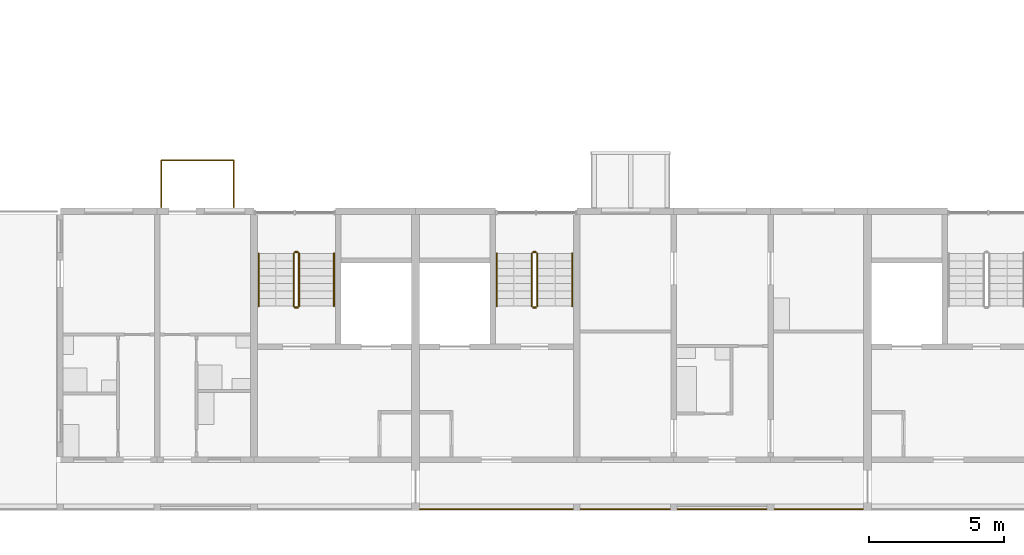
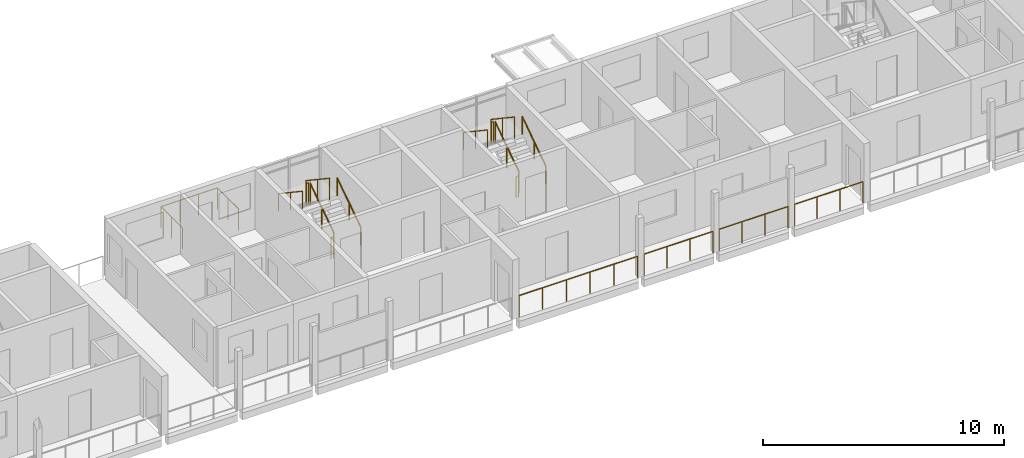
# One storey, part 59 of 64: 17 railings.
"""IFC4 building model written with IfcOpenShell, lengths in metres."""

from ifc_helpers import new_model, si_unit, direction, frame, origin, origin_2d, place, context, subcontext, project, spatial, circle, extrude, material, type_object, element, save


model = new_model("IFC4")

# Units and contexts
model_context = context("Model", 3, precision=1e-05, world=origin(), true_north=direction((0.0, 1.0)))
body_context = subcontext(model_context, "Body", "Model", "MODEL_VIEW")
ifc_project = project(units=[si_unit("LENGTHUNIT", "METRE"), si_unit("AREAUNIT", "SQUARE_METRE"), si_unit("VOLUMEUNIT", "CUBIC_METRE"), si_unit("PLANEANGLEUNIT", "RADIAN"), si_unit("MASSUNIT", "GRAM", prefix="KILO")], contexts=[model_context])

# Site, building, storey
site_placement = place(None, origin())
site = spatial("IfcSite", under=ifc_project, at=site_placement, CompositionType="ELEMENT")
building_placement = place(site_placement, origin())
building = spatial("IfcBuilding", under=site, at=building_placement, Name="Ridgestep Commons", CompositionType="ELEMENT")
storey_placement = place(building_placement, frame((0.0, 0.0, 33.0)))
storey = spatial("IfcBuildingStorey", under=building, at=storey_placement, Name="L11", CompositionType="ELEMENT", Elevation=33.0)

# Railings
ifc_material_1 = material(Name="Structural steel S355JR", Category="steel")
railing_type_1 = type_object("IfcRailingType", Name="Guard 1100", PredefinedType="GUARDRAIL", material=ifc_material_1)
railing_1_placement = place(storey_placement, frame((214.1708984375, 11.800048828125, 0.0)))
element("IfcRailing", 1, at=railing_1_placement, inside=storey, type_object=railing_type_1, Name="Gallery guard D 11.15", PredefinedType="GUARDRAIL", context=body_context, shape_type="SweptSolid", body=[
    extrude(circle(Radius=0.02392578125, at=origin_2d()), frame((0.0, 0.0, 1.076171875), z_axis=(1.0, 0.0, 0.0), x_axis=(0.0, 1.0, 0.0)), (0.0, 0.0, 1.0), 5.68310546875),
    extrude(circle(Radius=0.02099609375, at=origin_2d()), origin(), (0.0, 0.0, 1.0), 1.052001953125),
    extrude(circle(Radius=0.02099609375, at=origin_2d()), frame((1.13671875, 0.0, 0.0)), (0.0, 0.0, 1.0), 1.052001953125),
    extrude(circle(Radius=0.02099609375, at=origin_2d()), frame((2.273193359375, 0.0, 0.0)), (0.0, 0.0, 1.0), 1.052001953125),
    extrude(circle(Radius=0.02099609375, at=origin_2d()), frame((3.409912109375, 0.0, 0.0)), (0.0, 0.0, 1.0), 1.052001953125),
    extrude(circle(Radius=0.02099609375, at=origin_2d()), frame((4.54638671875, 0.0, 0.0)), (0.0, 0.0, 1.0), 1.052001953125),
    extrude(circle(Radius=0.02099609375, at=origin_2d()), frame((5.68310546875, 0.0, 0.0)), (0.0, 0.0, 1.0), 1.052001953125),
])
railing_2_placement = place(storey_placement, frame((220.14599609375, 11.800048828125, 0.0)))
element("IfcRailing", 2, at=railing_2_placement, inside=storey, type_object=railing_type_1, Name="Gallery guard D 11.16", PredefinedType="GUARDRAIL", context=body_context, shape_type="SweptSolid", body=[
    extrude(circle(Radius=0.02392578125, at=origin_2d()), frame((0.0, 0.0, 1.076171875), z_axis=(1.0, 0.0, 0.0), x_axis=(0.0, 1.0, 0.0)), (0.0, 0.0, 1.0), 3.30810546875),
    extrude(circle(Radius=0.02099609375, at=origin_2d()), origin(), (0.0, 0.0, 1.0), 1.052001953125),
    extrude(circle(Radius=0.02099609375, at=origin_2d()), frame((1.102783203125, 0.0, 0.0)), (0.0, 0.0, 1.0), 1.052001953125),
    extrude(circle(Radius=0.02099609375, at=origin_2d()), frame((2.205322265625, 0.0, 0.0)), (0.0, 0.0, 1.0), 1.052001953125),
    extrude(circle(Radius=0.02099609375, at=origin_2d()), frame((3.30810546875, 0.0, 0.0)), (0.0, 0.0, 1.0), 1.052001953125),
])
railing_3_placement = place(storey_placement, frame((223.74609375, 11.800048828125, 0.0)))
element("IfcRailing", 3, at=railing_3_placement, inside=storey, type_object=railing_type_1, Name="Gallery guard D 11.17", PredefinedType="GUARDRAIL", context=body_context, shape_type="SweptSolid", body=[
    extrude(circle(Radius=0.02392578125, at=origin_2d()), frame((0.0, 0.0, 1.076171875), z_axis=(1.0, 0.0, 0.0), x_axis=(0.0, 1.0, 0.0)), (0.0, 0.0, 1.0), 3.307861328125),
    extrude(circle(Radius=0.02099609375, at=origin_2d()), origin(), (0.0, 0.0, 1.0), 1.052001953125),
    extrude(circle(Radius=0.02099609375, at=origin_2d()), frame((1.1025390625, 0.0, 0.0)), (0.0, 0.0, 1.0), 1.052001953125),
    extrude(circle(Radius=0.02099609375, at=origin_2d()), frame((2.205322265625, 0.0, 0.0)), (0.0, 0.0, 1.0), 1.052001953125),
    extrude(circle(Radius=0.02099609375, at=origin_2d()), frame((3.307861328125, 0.0, 0.0)), (0.0, 0.0, 1.0), 1.052001953125),
])
railing_4_placement = place(storey_placement, frame((227.345947265625, 11.800048828125, 0.0)))
element("IfcRailing", 4, at=railing_4_placement, inside=storey, type_object=railing_type_1, Name="Gallery guard D 11.18", PredefinedType="GUARDRAIL", context=body_context, shape_type="SweptSolid", body=[
    extrude(circle(Radius=0.02392578125, at=origin_2d()), frame((0.0, 0.0, 1.076171875), z_axis=(1.0, 0.0, 0.0), x_axis=(0.0, 1.0, 0.0)), (0.0, 0.0, 1.0), 3.282958984375),
    extrude(circle(Radius=0.02099609375, at=origin_2d()), origin(), (0.0, 0.0, 1.0), 1.052001953125),
    extrude(circle(Radius=0.02099609375, at=origin_2d()), frame((1.09423828125, 0.0, 0.0)), (0.0, 0.0, 1.0), 1.052001953125),
    extrude(circle(Radius=0.02099609375, at=origin_2d()), frame((2.188720703125, 0.0, 0.0)), (0.0, 0.0, 1.0), 1.052001953125),
    extrude(circle(Radius=0.02099609375, at=origin_2d()), frame((3.282958984375, 0.0, 0.0)), (0.0, 0.0, 1.0), 1.052001953125),
])
ifc_material_2 = material(Name="Structural steel S355JR", Category="steel")
railing_type_2 = type_object("IfcRailingType", Name="Stair guard 1100", PredefinedType="GUARDRAIL", material=ifc_material_2)
railing_5_placement = place(storey_placement, frame((209.675048828125, 19.35009765625, 0.1875)))
element("IfcRailing", 5, at=railing_5_placement, inside=storey, type_object=railing_type_2, Name="L11 D4C stair guard 1", PredefinedType="GUARDRAIL", context=body_context, shape_type="SweptSolid", body=[
    extrude(circle(Radius=0.02392578125, at=origin_2d()), frame((0.0, 0.0, 1.076171875), z_axis=(0.0, 0.830902050051, 0.556418712142), x_axis=(-1.0, 0.0, 0.0)), (0.0, 0.0, 1.0), 2.35888671875),
    extrude(circle(Radius=0.02099609375, at=origin_2d()), origin(), (0.0, 0.0, 1.0), 1.052001953125),
    extrude(circle(Radius=0.02099609375, at=origin_2d()), frame((0.0, 0.97998046875, 0.65625)), (0.0, 0.0, 1.0), 1.052001953125),
    extrude(circle(Radius=0.02099609375, at=origin_2d()), frame((0.0, 1.9599609375, 1.3125)), (0.0, 0.0, 1.0), 1.052001953125),
])
railing_6_placement = place(storey_placement, frame((209.625, 21.360107421875, 1.5)))
element("IfcRailing", 6, at=railing_6_placement, inside=storey, type_object=railing_type_2, Name="L11 D4C stair guard 2", PredefinedType="GUARDRAIL", context=body_context, shape_type="SweptSolid", body=[
    extrude(circle(Radius=0.02392578125, at=origin_2d()), frame((0.0, 0.0, 1.076171875), z_axis=(-1.0, 0.0, 0.0), x_axis=(0.0, -1.0, 0.0)), (0.0, 0.0, 1.0), 0.10009765625),
    extrude(circle(Radius=0.02099609375, at=origin_2d()), origin(), (0.0, 0.0, 1.0), 1.052001953125),
    extrude(circle(Radius=0.02099609375, at=origin_2d()), frame((-0.10009765625, 0.0, 0.0)), (0.0, 0.0, 1.0), 1.052001953125),
])
railing_7_placement = place(storey_placement, frame((209.47509765625, 21.31005859375, 1.6875)))
element("IfcRailing", 7, at=railing_7_placement, inside=storey, type_object=railing_type_2, Name="L11 D4C stair guard 3", PredefinedType="GUARDRAIL", context=body_context, shape_type="SweptSolid", body=[
    extrude(circle(Radius=0.02392578125, at=origin_2d()), frame((0.0, 0.0, 1.076171875), z_axis=(0.0, -0.830902050051, 0.556418712142), x_axis=(1.0, 0.0, 0.0)), (0.0, 0.0, 1.0), 2.35888671875),
    extrude(circle(Radius=0.02099609375, at=origin_2d()), origin(), (0.0, 0.0, 1.0), 1.052001953125),
    extrude(circle(Radius=0.02099609375, at=origin_2d()), frame((0.0, -0.97998046875, 0.65625)), (0.0, 0.0, 1.0), 1.052001953125),
    extrude(circle(Radius=0.02099609375, at=origin_2d()), frame((0.0, -1.9599609375, 1.3125)), (0.0, 0.0, 1.0), 1.052001953125),
])
railing_8_placement = place(storey_placement, frame((209.625, 19.300048828125, 0.0)))
element("IfcRailing", 8, at=railing_8_placement, inside=storey, type_object=railing_type_2, Name="L11 D4C stair guard 4", PredefinedType="GUARDRAIL", context=body_context, shape_type="SweptSolid", body=[
    extrude(circle(Radius=0.02392578125, at=origin_2d()), frame((0.0, 0.0, 1.076171875), z_axis=(-1.0, 0.0, 0.0), x_axis=(0.0, -1.0, 0.0)), (0.0, 0.0, 1.0), 0.10009765625),
    extrude(circle(Radius=0.02099609375, at=origin_2d()), origin(), (0.0, 0.0, 1.0), 1.052001953125),
    extrude(circle(Radius=0.02099609375, at=origin_2d()), frame((-0.10009765625, 0.0, 0.0)), (0.0, 0.0, 1.0), 1.052001953125),
])
railing_9_placement = place(storey_placement, frame((218.52490234375, 19.35009765625, 0.1875)))
element("IfcRailing", 9, at=railing_9_placement, inside=storey, type_object=railing_type_2, Name="L11 D5C stair guard 1", PredefinedType="GUARDRAIL", context=body_context, shape_type="SweptSolid", body=[
    extrude(circle(Radius=0.02392578125, at=origin_2d()), frame((0.0, 0.0, 1.076171875), z_axis=(0.0, 0.830902050051, 0.556418712142), x_axis=(-1.0, 0.0, 0.0)), (0.0, 0.0, 1.0), 2.35888671875),
    extrude(circle(Radius=0.02099609375, at=origin_2d()), origin(), (0.0, 0.0, 1.0), 1.052001953125),
    extrude(circle(Radius=0.02099609375, at=origin_2d()), frame((0.0, 0.97998046875, 0.65625)), (0.0, 0.0, 1.0), 1.052001953125),
    extrude(circle(Radius=0.02099609375, at=origin_2d()), frame((0.0, 1.9599609375, 1.3125)), (0.0, 0.0, 1.0), 1.052001953125),
])
railing_10_placement = place(storey_placement, frame((218.47509765625, 21.360107421875, 1.5)))
element("IfcRailing", 10, at=railing_10_placement, inside=storey, type_object=railing_type_2, Name="L11 D5C stair guard 2", PredefinedType="GUARDRAIL", context=body_context, shape_type="SweptSolid", body=[
    extrude(circle(Radius=0.02392578125, at=origin_2d()), frame((0.0, 0.0, 1.076171875), z_axis=(-1.0, 0.0, 0.0), x_axis=(0.0, -1.0, 0.0)), (0.0, 0.0, 1.0), 0.10009765625),
    extrude(circle(Radius=0.02099609375, at=origin_2d()), origin(), (0.0, 0.0, 1.0), 1.052001953125),
    extrude(circle(Radius=0.02099609375, at=origin_2d()), frame((-0.10009765625, 0.0, 0.0)), (0.0, 0.0, 1.0), 1.052001953125),
])
railing_11_placement = place(storey_placement, frame((218.324951171875, 21.31005859375, 1.6875)))
element("IfcRailing", 11, at=railing_11_placement, inside=storey, type_object=railing_type_2, Name="L11 D5C stair guard 3", PredefinedType="GUARDRAIL", context=body_context, shape_type="SweptSolid", body=[
    extrude(circle(Radius=0.02392578125, at=origin_2d()), frame((0.0, 0.0, 1.076171875), z_axis=(0.0, -0.830902050051, 0.556418712142), x_axis=(1.0, 0.0, 0.0)), (0.0, 0.0, 1.0), 2.35888671875),
    extrude(circle(Radius=0.02099609375, at=origin_2d()), origin(), (0.0, 0.0, 1.0), 1.052001953125),
    extrude(circle(Radius=0.02099609375, at=origin_2d()), frame((0.0, -0.97998046875, 0.65625)), (0.0, 0.0, 1.0), 1.052001953125),
    extrude(circle(Radius=0.02099609375, at=origin_2d()), frame((0.0, -1.9599609375, 1.3125)), (0.0, 0.0, 1.0), 1.052001953125),
])
railing_12_placement = place(storey_placement, frame((218.47509765625, 19.300048828125, 0.0)))
element("IfcRailing", 12, at=railing_12_placement, inside=storey, type_object=railing_type_2, Name="L11 D5C stair guard 4", PredefinedType="GUARDRAIL", context=body_context, shape_type="SweptSolid", body=[
    extrude(circle(Radius=0.02392578125, at=origin_2d()), frame((0.0, 0.0, 1.076171875), z_axis=(-1.0, 0.0, 0.0), x_axis=(0.0, -1.0, 0.0)), (0.0, 0.0, 1.0), 0.10009765625),
    extrude(circle(Radius=0.02099609375, at=origin_2d()), origin(), (0.0, 0.0, 1.0), 1.052001953125),
    extrude(circle(Radius=0.02099609375, at=origin_2d()), frame((-0.10009765625, 0.0, 0.0)), (0.0, 0.0, 1.0), 1.052001953125),
])
ifc_material_3 = material(Name="Structural steel S355JR", Category="steel")
railing_type_3 = type_object("IfcRailingType", Name="Stair handrail 900", PredefinedType="HANDRAIL", material=ifc_material_3)
railing_13_placement = place(storey_placement, frame((210.97509765625, 19.35009765625, 0.1875)))
element("IfcRailing", 13, at=railing_13_placement, inside=storey, type_object=railing_type_3, Name="L11 D4C stair handrail 1", PredefinedType="HANDRAIL", context=body_context, shape_type="SweptSolid", body=[
    extrude(circle(Radius=0.02392578125, at=origin_2d()), frame((0.0, 0.0, 0.8759765625), z_axis=(0.0, 0.830902050051, 0.556418712142), x_axis=(-1.0, 0.0, 0.0)), (0.0, 0.0, 1.0), 2.35888671875),
    extrude(circle(Radius=0.02099609375, at=origin_2d()), origin(), (0.0, 0.0, 1.0), 0.851806640625),
    extrude(circle(Radius=0.02099609375, at=origin_2d()), frame((0.0, 0.97998046875, 0.65625)), (0.0, 0.0, 1.0), 0.851806640625),
    extrude(circle(Radius=0.02099609375, at=origin_2d()), frame((0.0, 1.9599609375, 1.3125)), (0.0, 0.0, 1.0), 0.851806640625),
])
railing_14_placement = place(storey_placement, frame((208.175048828125, 21.31005859375, 1.6875)))
element("IfcRailing", 14, at=railing_14_placement, inside=storey, type_object=railing_type_3, Name="L11 D4C stair handrail 2", PredefinedType="HANDRAIL", context=body_context, shape_type="SweptSolid", body=[
    extrude(circle(Radius=0.02392578125, at=origin_2d()), frame((0.0, 0.0, 0.8759765625), z_axis=(0.0, -0.830902050051, 0.556418712142), x_axis=(1.0, 0.0, 0.0)), (0.0, 0.0, 1.0), 2.35888671875),
    extrude(circle(Radius=0.02099609375, at=origin_2d()), origin(), (0.0, 0.0, 1.0), 0.851806640625),
    extrude(circle(Radius=0.02099609375, at=origin_2d()), frame((0.0, -0.97998046875, 0.65625)), (0.0, 0.0, 1.0), 0.851806640625),
    extrude(circle(Radius=0.02099609375, at=origin_2d()), frame((0.0, -1.9599609375, 1.3125)), (0.0, 0.0, 1.0), 0.851806640625),
])
railing_15_placement = place(storey_placement, frame((219.824951171875, 19.35009765625, 0.1875)))
element("IfcRailing", 15, at=railing_15_placement, inside=storey, type_object=railing_type_3, Name="L11 D5C stair handrail 1", PredefinedType="HANDRAIL", context=body_context, shape_type="SweptSolid", body=[
    extrude(circle(Radius=0.02392578125, at=origin_2d()), frame((0.0, 0.0, 0.8759765625), z_axis=(0.0, 0.830902050051, 0.556418712142), x_axis=(-1.0, 0.0, 0.0)), (0.0, 0.0, 1.0), 2.35888671875),
    extrude(circle(Radius=0.02099609375, at=origin_2d()), origin(), (0.0, 0.0, 1.0), 0.851806640625),
    extrude(circle(Radius=0.02099609375, at=origin_2d()), frame((0.0, 0.97998046875, 0.65625)), (0.0, 0.0, 1.0), 0.851806640625),
    extrude(circle(Radius=0.02099609375, at=origin_2d()), frame((0.0, 1.9599609375, 1.3125)), (0.0, 0.0, 1.0), 0.851806640625),
])
railing_16_placement = place(storey_placement, frame((217.02490234375, 21.31005859375, 1.6875)))
element("IfcRailing", 16, at=railing_16_placement, inside=storey, type_object=railing_type_3, Name="L11 D5C stair handrail 2", PredefinedType="HANDRAIL", context=body_context, shape_type="SweptSolid", body=[
    extrude(circle(Radius=0.02392578125, at=origin_2d()), frame((0.0, 0.0, 0.8759765625), z_axis=(0.0, -0.830902050051, 0.556418712142), x_axis=(1.0, 0.0, 0.0)), (0.0, 0.0, 1.0), 2.35888671875),
    extrude(circle(Radius=0.02099609375, at=origin_2d()), origin(), (0.0, 0.0, 1.0), 0.851806640625),
    extrude(circle(Radius=0.02099609375, at=origin_2d()), frame((0.0, -0.97998046875, 0.65625)), (0.0, 0.0, 1.0), 0.851806640625),
    extrude(circle(Radius=0.02099609375, at=origin_2d()), frame((0.0, -1.9599609375, 1.3125)), (0.0, 0.0, 1.0), 0.851806640625),
])
ifc_material_4 = material(Name="Weathering steel S355J2W", Category="steel")
railing_type_4 = type_object("IfcRailingType", Name="Tray guard 1100", PredefinedType="GUARDRAIL", material=ifc_material_4)
railing_17_placement = place(storey_placement, frame((204.551025390625, 23.02099609375, 0.0)))
element("IfcRailing", 17, at=railing_17_placement, inside=storey, type_object=railing_type_4, Name="Tray guard D4T3-11", PredefinedType="GUARDRAIL", context=body_context, shape_type="SweptSolid", body=[
    extrude(circle(Radius=0.02392578125, at=origin_2d()), frame((0.0, 0.0, 1.076171875), z_axis=(0.0, 1.0, 0.0), x_axis=(-1.0, 0.0, 0.0)), (0.0, 0.0, 1.0), 1.758056640625),
    extrude(circle(Radius=0.02392578125, at=origin_2d()), frame((0.0, 1.758056640625, 1.076171875), z_axis=(1.0, 0.0, 0.0), x_axis=(0.0, 1.0, 0.0)), (0.0, 0.0, 1.0), 2.697998046875),
    extrude(circle(Radius=0.02392578125, at=origin_2d()), frame((2.697998046875, 1.758056640625, 1.076171875), z_axis=(0.0, -1.0, 0.0), x_axis=(1.0, 0.0, 0.0)), (0.0, 0.0, 1.0), 1.758056640625),
    extrude(circle(Radius=0.02099609375, at=origin_2d()), origin(), (0.0, 0.0, 1.0), 1.052001953125),
    extrude(circle(Radius=0.02099609375, at=origin_2d()), frame((0.0, 0.87890625, 0.0)), (0.0, 0.0, 1.0), 1.052001953125),
    extrude(circle(Radius=0.02099609375, at=origin_2d()), frame((0.0, 1.758056640625, 0.0)), (0.0, 0.0, 1.0), 1.052001953125),
    extrude(circle(Radius=0.02099609375, at=origin_2d()), frame((0.8994140625, 1.758056640625, 0.0)), (0.0, 0.0, 1.0), 1.052001953125),
    extrude(circle(Radius=0.02099609375, at=origin_2d()), frame((1.798583984375, 1.758056640625, 0.0)), (0.0, 0.0, 1.0), 1.052001953125),
    extrude(circle(Radius=0.02099609375, at=origin_2d()), frame((2.697998046875, 1.758056640625, 0.0)), (0.0, 0.0, 1.0), 1.052001953125),
    extrude(circle(Radius=0.02099609375, at=origin_2d()), frame((2.697998046875, 0.87890625, 0.0)), (0.0, 0.0, 1.0), 1.052001953125),
    extrude(circle(Radius=0.02099609375, at=origin_2d()), frame((2.697998046875, 0.0, 0.0)), (0.0, 0.0, 1.0), 1.052001953125),
])

save(model, "model.ifc")
